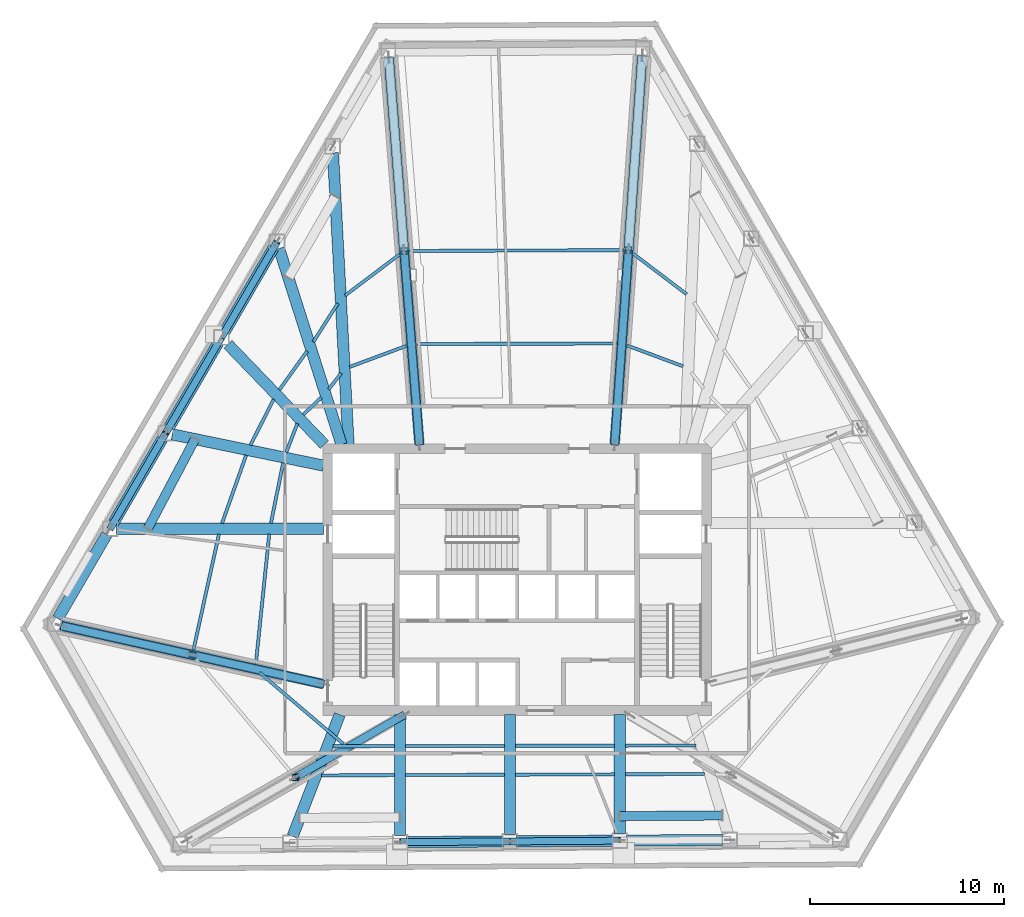
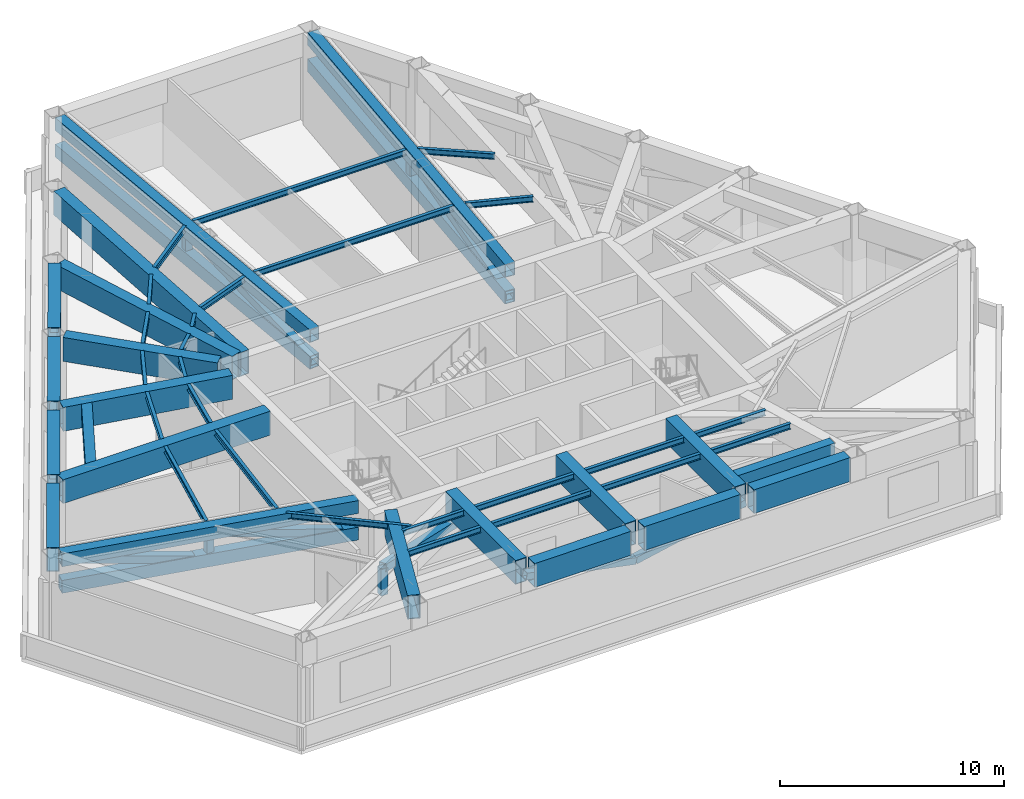
# One storey, part 2 of 12: 49 beams, 14 members.
"""IFC4 building model written with IfcOpenShell, lengths in metres."""

from ifc_helpers import new_model, si_unit, direction, frame, origin, origin_2d, place, context, subcontext, project, spatial, hollow_rectangle, i_section, extrude, material, material_profile, profile_set, type_object, element, save


model = new_model("IFC4")

# Units and contexts
model_context = context("Model", 3, precision=1e-05, world=origin(), true_north=direction((0.0, 1.0)))
body_context = subcontext(model_context, "Body", "Model", "MODEL_VIEW")
ifc_project = project(units=[si_unit("LENGTHUNIT", "METRE"), si_unit("AREAUNIT", "SQUARE_METRE"), si_unit("VOLUMEUNIT", "CUBIC_METRE"), si_unit("PLANEANGLEUNIT", "RADIAN"), si_unit("MASSUNIT", "GRAM", prefix="KILO")], contexts=[model_context])

# Site, building, storey
site_placement = place(None, origin())
site = spatial("IfcSite", under=ifc_project, at=site_placement, CompositionType="ELEMENT")
building_placement = place(site_placement, origin())
building = spatial("IfcBuilding", under=site, at=building_placement, Name="Kavelnor Concourse Tower", CompositionType="ELEMENT")
storey_placement = place(building_placement, frame((0.0, 0.0, 75.300048828125)))
storey = spatial("IfcBuildingStorey", under=building, at=storey_placement, Name="L19", CompositionType="ELEMENT", Elevation=75.300048828125)

# Beams
ifc_material = material(Name="Steel Grade 350", Category="steel")
ifc_material_profile_1 = material_profile(ifc_material, hollow_rectangle(XDim=0.47998046875, YDim=0.64990234375, WallThickness=0.030029296875, at=origin_2d()), Name="RHS 650x480x30")
ifc_profile_set_1 = profile_set([ifc_material_profile_1], Name="Steel Grade 350")
beam_type_1 = type_object("IfcBeamType", Name="BM-BELT-CHORD-650", PredefinedType="BEAM", material=ifc_profile_set_1)
beam_1_placement = place(storey_placement, frame((21.387939453125, 23.350830078125, 4.659912109375), z_axis=(-0.467030719897, -0.884241090808, 0.0), x_axis=(0.884241090808, -0.467030719897, 0.0)))
element("IfcBeam", 1, at=beam_1_placement, inside=storey, type_object=beam_type_1, Name="L19 Perimeter Belt Truss Chord F0-B4", PredefinedType="BEAM", context=body_context, shape_type="SweptSolid", body=[
    extrude(hollow_rectangle(XDim=0.47998046875, YDim=0.64990234375, WallThickness=0.030029296875, at=origin_2d()), origin(), (0.0, 0.0, 1.0), 5.223876953125),
])
beam_2_placement = place(storey_placement, frame((43.302490234375, 3.90234375, 4.659912109375), z_axis=(0.999979140962, 0.00645891948, 0.0), x_axis=(-0.00645891948, 0.999979140962, 0.0)))
element("IfcBeam", 2, at=beam_2_placement, inside=storey, type_object=beam_type_1, Name="L19 Perimeter Belt Truss Chord F1-B4", PredefinedType="BEAM", context=body_context, shape_type="SweptSolid", body=[
    extrude(hollow_rectangle(XDim=0.47998046875, YDim=0.64990234375, WallThickness=0.030029296875, at=origin_2d()), origin(), (0.0, 0.0, 1.0), 5.291748046875),
])
ifc_material_profile_2 = material_profile(ifc_material, i_section(OverallWidth=0.166015625, OverallDepth=0.306884765625, WebThickness=0.006591796875, FlangeThickness=0.01171875, at=origin_2d()), Name="310UB46")
ifc_profile_set_2 = profile_set([ifc_material_profile_2], Name="Steel Grade 350")
beam_type_2 = type_object("IfcBeamType", Name="BM-JOIST-310", PredefinedType="JOIST", material=ifc_profile_set_2)
beam_3_placement = place(storey_placement, frame((24.71484375, 11.30908203125, 4.83154296875), z_axis=(0.761462595239, -0.648208852186, 0.0), x_axis=(0.648208852186, 0.761462595239, 0.0)))
element("IfcBeam", 3, at=beam_3_placement, inside=storey, type_object=beam_type_2, Name="L19 Secondary Composite Joist 01-1", PredefinedType="JOIST", context=body_context, shape_type="SweptSolid", body=[
    extrude(i_section(OverallWidth=0.166015625, OverallDepth=0.306884765625, WebThickness=0.006591796875, FlangeThickness=0.01171875, at=origin_2d()), origin(), (0.0, 0.0, 1.0), 5.676025390625),
])
beam_4_placement = place(storey_placement, frame((28.5048828125, 7.507080078125, 4.83154296875), z_axis=(0.999995262662, 0.003078092382, 0.0), x_axis=(-0.003078092382, 0.999995262662, 0.0)))
element("IfcBeam", 4, at=beam_4_placement, inside=storey, type_object=beam_type_2, Name="L19 Secondary Composite Joist 03-1", PredefinedType="JOIST", context=body_context, shape_type="SweptSolid", body=[
    extrude(i_section(OverallWidth=0.166015625, OverallDepth=0.306884765625, WebThickness=0.006591796875, FlangeThickness=0.01171875, at=origin_2d()), origin(), (0.0, 0.0, 1.0), 3.172607421875),
])
beam_5_placement = place(storey_placement, frame((27.922119140625, 6.001953125, 4.83154296875), z_axis=(0.999989939119, 0.004485717449, 0.0), x_axis=(-0.004485717449, 0.999989939119, 0.0)))
element("IfcBeam", 5, at=beam_5_placement, inside=storey, type_object=beam_type_2, Name="L19 Secondary Composite Joist 03-2", PredefinedType="JOIST", context=body_context, shape_type="SweptSolid", body=[
    extrude(i_section(OverallWidth=0.166015625, OverallDepth=0.306884765625, WebThickness=0.006591796875, FlangeThickness=0.01171875, at=origin_2d()), origin(), (0.0, 0.0, 1.0), 3.75537109375),
])
for number, where, z_axis, x_axis, name in (
    (6, (32.24560546875, 7.518310546875, 4.83154296875), (0.999998432811, 0.001770416863, 0.0), (-0.001770416863, 0.999998432811, 0.0), "L19 Secondary Composite Joist 04-1"),
    (7, (32.24560546875, 6.02099609375, 4.83154296875), (0.999994065555, 0.003445120471, 0.0), (-0.003445120471, 0.999994065555, 0.0), "L19 Secondary Composite Joist 04-2"),
):
    element("IfcBeam", number, at=place(storey_placement, frame(where, z_axis=z_axis, x_axis=x_axis)), inside=storey, type_object=beam_type_2, Name=name, PredefinedType="JOIST", context=body_context, shape_type="SweptSolid", body=[
        extrude(i_section(OverallWidth=0.166015625, OverallDepth=0.306884765625, WebThickness=0.006591796875, FlangeThickness=0.01171875, at=origin_2d()), origin(), (0.0, 0.0, 1.0), 5.102294921875),
    ])
for number, where, z_axis, x_axis, name in (
    (8, (37.916015625, 7.5283203125, 4.83154296875), (0.999998432961, 0.001770332154, 0.0), (-0.001770332154, 0.999998432961, 0.0), "L19 Secondary Composite Joist 05-1"),
    (9, (37.916015625, 6.04052734375, 4.83154296875), (0.999994066123, 0.003444955634, 0.0), (-0.003444955634, 0.999994066123, 0.0), "L19 Secondary Composite Joist 05-2"),
):
    element("IfcBeam", number, at=place(storey_placement, frame(where, z_axis=z_axis, x_axis=x_axis)), inside=storey, type_object=beam_type_2, Name=name, PredefinedType="JOIST", context=body_context, shape_type="SweptSolid", body=[
        extrude(i_section(OverallWidth=0.166015625, OverallDepth=0.306884765625, WebThickness=0.006591796875, FlangeThickness=0.01171875, at=origin_2d()), origin(), (0.0, 0.0, 1.0), 5.1025390625),
    ])
beam_6_placement = place(storey_placement, frame((43.586669921875, 7.53857421875, 4.83154296875), z_axis=(0.999997547088, 0.00221490832, 0.0), x_axis=(-0.00221490832, 0.999997547088, 0.0)))
element("IfcBeam", 10, at=beam_6_placement, inside=storey, type_object=beam_type_2, Name="L19 Secondary Composite Joist 06-1", PredefinedType="JOIST", context=body_context, shape_type="SweptSolid", body=[
    extrude(i_section(OverallWidth=0.166015625, OverallDepth=0.306884765625, WebThickness=0.006591796875, FlangeThickness=0.01171875, at=origin_2d()), origin(), (0.0, 0.0, 1.0), 3.637451171875),
])
beam_7_placement = place(storey_placement, frame((43.586669921875, 6.060302734375, 4.83154296875), z_axis=(0.999991224751, 0.004189322265, 0.0), x_axis=(-0.004189322265, 0.999991224751, 0.0)))
element("IfcBeam", 11, at=beam_7_placement, inside=storey, type_object=beam_type_2, Name="L19 Secondary Composite Joist 06-2", PredefinedType="JOIST", context=body_context, shape_type="SweptSolid", body=[
    extrude(i_section(OverallWidth=0.166015625, OverallDepth=0.306884765625, WebThickness=0.006591796875, FlangeThickness=0.01171875, at=origin_2d()), origin(), (0.0, 0.0, 1.0), 4.079345703125),
])
beam_8_placement = place(storey_placement, frame((46.562255859375, 27.107666015625, 4.83154296875), z_axis=(-0.937494617095, 0.347999774307, 0.0), x_axis=(-0.347999774307, -0.937494617095, 0.0)))
element("IfcBeam", 12, at=beam_8_placement, inside=storey, type_object=beam_type_2, Name="L19 Secondary Composite Joist 14-1", PredefinedType="JOIST", context=body_context, shape_type="SweptSolid", body=[
    extrude(i_section(OverallWidth=0.166015625, OverallDepth=0.306884765625, WebThickness=0.006591796875, FlangeThickness=0.01171875, at=origin_2d()), origin(), (0.0, 0.0, 1.0), 3.08544921875),
])
beam_9_placement = place(storey_placement, frame((46.74560546875, 30.8251953125, 4.83154296875), z_axis=(-0.79695093007, 0.604044050597, 0.0), x_axis=(-0.604044050597, -0.79695093007, 0.0)))
element("IfcBeam", 13, at=beam_9_placement, inside=storey, type_object=beam_type_2, Name="L19 Secondary Composite Joist 14-2", PredefinedType="JOIST", context=body_context, shape_type="SweptSolid", body=[
    extrude(i_section(OverallWidth=0.166015625, OverallDepth=0.306884765625, WebThickness=0.006591796875, FlangeThickness=0.01171875, at=origin_2d()), origin(), (0.0, 0.0, 1.0), 3.48046875),
])
beam_10_placement = place(storey_placement, frame((43.119384765625, 28.27978515625, 4.83154296875), z_axis=(-0.999997666031, -0.00216054008, 0.0), x_axis=(0.00216054008, -0.999997666031, 0.0)))
element("IfcBeam", 14, at=beam_10_placement, inside=storey, type_object=beam_type_2, Name="L19 Secondary Composite Joist 15-1", PredefinedType="JOIST", context=body_context, shape_type="SweptSolid", body=[
    extrude(i_section(OverallWidth=0.166015625, OverallDepth=0.306884765625, WebThickness=0.006591796875, FlangeThickness=0.01171875, at=origin_2d()), origin(), (0.0, 0.0, 1.0), 10.282958984375),
])
beam_11_placement = place(storey_placement, frame((43.461669921875, 33.097900390625, 4.83154296875), z_axis=(-0.999992463834, -0.003882302804, 0.0), x_axis=(0.003882302804, -0.999992463834, 0.0)))
element("IfcBeam", 15, at=beam_11_placement, inside=storey, type_object=beam_type_2, Name="L19 Secondary Composite Joist 15-2", PredefinedType="JOIST", context=body_context, shape_type="SweptSolid", body=[
    extrude(i_section(OverallWidth=0.166015625, OverallDepth=0.306884765625, WebThickness=0.006591796875, FlangeThickness=0.01171875, at=origin_2d()), origin(), (0.0, 0.0, 1.0), 11.0048828125),
])
beam_12_placement = place(storey_placement, frame((32.2861328125, 28.158203125, 4.83154296875), z_axis=(-0.937463988593, -0.348082274889, 0.0), x_axis=(0.348082274889, -0.937463988593, 0.0)))
element("IfcBeam", 16, at=beam_12_placement, inside=storey, type_object=beam_type_2, Name="L19 Secondary Composite Joist 16-1", PredefinedType="JOIST", context=body_context, shape_type="SweptSolid", body=[
    extrude(i_section(OverallWidth=0.166015625, OverallDepth=0.306884765625, WebThickness=0.006591796875, FlangeThickness=0.01171875, at=origin_2d()), origin(), (0.0, 0.0, 1.0), 3.1162109375),
])
beam_13_placement = place(storey_placement, frame((31.946044921875, 32.8828125, 4.83154296875), z_axis=(-0.798251349766, -0.602324482814, 0.0), x_axis=(0.602324482814, -0.798251349766, 0.0)))
element("IfcBeam", 17, at=beam_13_placement, inside=storey, type_object=beam_type_2, Name="L19 Secondary Composite Joist 16-2", PredefinedType="JOIST", context=body_context, shape_type="SweptSolid", body=[
    extrude(i_section(OverallWidth=0.166015625, OverallDepth=0.306884765625, WebThickness=0.006591796875, FlangeThickness=0.01171875, at=origin_2d()), origin(), (0.0, 0.0, 1.0), 3.525146484375),
])
beam_14_placement = place(storey_placement, frame((28.9248046875, 26.75, 4.83154296875), z_axis=(-0.611202842018, -0.791473995725, 0.0), x_axis=(0.791473995725, -0.611202842018, 0.0)))
element("IfcBeam", 18, at=beam_14_placement, inside=storey, type_object=beam_type_2, Name="L19 Secondary Composite Joist 17-1", PredefinedType="JOIST", context=body_context, shape_type="SweptSolid", body=[
    extrude(i_section(OverallWidth=0.166015625, OverallDepth=0.306884765625, WebThickness=0.006591796875, FlangeThickness=0.01171875, at=origin_2d()), origin(), (0.0, 0.0, 1.0), 1.051025390625),
])
beam_15_placement = place(storey_placement, frame((28.7529296875, 30.348876953125, 4.83154296875), z_axis=(-0.537090123049, -0.843524866097, 0.0), x_axis=(0.843524866097, -0.537090123049, 0.0)))
element("IfcBeam", 19, at=beam_15_placement, inside=storey, type_object=beam_type_2, Name="L19 Secondary Composite Joist 17-2", PredefinedType="JOIST", context=body_context, shape_type="SweptSolid", body=[
    extrude(i_section(OverallWidth=0.166015625, OverallDepth=0.306884765625, WebThickness=0.006591796875, FlangeThickness=0.01171875, at=origin_2d()), origin(), (0.0, 0.0, 1.0), 2.35498046875),
])
beam_16_placement = place(storey_placement, frame((27.903076171875, 25.497802734375, 4.83154296875), z_axis=(-0.724277987053, -0.689508083687, 0.0), x_axis=(0.689508083687, -0.724277987053, 0.0)))
element("IfcBeam", 20, at=beam_16_placement, inside=storey, type_object=beam_type_2, Name="L19 Secondary Composite Joist 18-1", PredefinedType="JOIST", context=body_context, shape_type="SweptSolid", body=[
    extrude(i_section(OverallWidth=0.166015625, OverallDepth=0.306884765625, WebThickness=0.006591796875, FlangeThickness=0.01171875, at=origin_2d()), origin(), (0.0, 0.0, 1.0), 1.284912109375),
])
beam_17_placement = place(storey_placement, frame((27.17041015625, 27.8916015625, 4.83154296875), z_axis=(-0.581669442691, -0.813425263586, 0.0), x_axis=(0.813425263586, -0.581669442691, 0.0)))
element("IfcBeam", 21, at=beam_17_placement, inside=storey, type_object=beam_type_2, Name="L19 Secondary Composite Joist 18-2", PredefinedType="JOIST", context=body_context, shape_type="SweptSolid", body=[
    extrude(i_section(OverallWidth=0.166015625, OverallDepth=0.306884765625, WebThickness=0.006591796875, FlangeThickness=0.01171875, at=origin_2d()), origin(), (0.0, 0.0, 1.0), 2.462890625),
])
beam_18_placement = place(storey_placement, frame((26.664794921875, 24.15087890625, 4.83154296875), z_axis=(-0.359277047661, -0.933230948385, 0.0), x_axis=(0.933230948385, -0.359277047661, 0.0)))
element("IfcBeam", 22, at=beam_18_placement, inside=storey, type_object=beam_type_2, Name="L19 Secondary Composite Joist 19-1", PredefinedType="JOIST", context=body_context, shape_type="SweptSolid", body=[
    extrude(i_section(OverallWidth=0.166015625, OverallDepth=0.306884765625, WebThickness=0.006591796875, FlangeThickness=0.01171875, at=origin_2d()), origin(), (0.0, 0.0, 1.0), 1.592041015625),
])
beam_19_placement = place(storey_placement, frame((25.444091796875, 25.40380859375, 4.83154296875), z_axis=(-0.451851391266, -0.892093223947, 0.0), x_axis=(0.892093223947, -0.451851391266, 0.0)))
element("IfcBeam", 23, at=beam_19_placement, inside=storey, type_object=beam_type_2, Name="L19 Secondary Composite Joist 19-2", PredefinedType="JOIST", context=body_context, shape_type="SweptSolid", body=[
    extrude(i_section(OverallWidth=0.166015625, OverallDepth=0.306884765625, WebThickness=0.006591796875, FlangeThickness=0.01171875, at=origin_2d()), origin(), (0.0, 0.0, 1.0), 2.649658203125),
])
beam_20_placement = place(storey_placement, frame((25.93408203125, 22.121826171875, 4.83154296875), z_axis=(-0.199131454502, -0.97997278729, 0.0), x_axis=(0.97997278729, -0.199131454502, 0.0)))
element("IfcBeam", 24, at=beam_20_placement, inside=storey, type_object=beam_type_2, Name="L19 Secondary Composite Joist 20-1", PredefinedType="JOIST", context=body_context, shape_type="SweptSolid", body=[
    extrude(i_section(OverallWidth=0.166015625, OverallDepth=0.306884765625, WebThickness=0.006591796875, FlangeThickness=0.01171875, at=origin_2d()), origin(), (0.0, 0.0, 1.0), 3.17529296875),
])
beam_21_placement = place(storey_placement, frame((24.023681640625, 22.51904296875, 4.83154296875), z_axis=(-0.333575968091, -0.942723222114, 0.0), x_axis=(0.942723222114, -0.333575968091, 0.0)))
element("IfcBeam", 25, at=beam_21_placement, inside=storey, type_object=beam_type_2, Name="L19 Secondary Composite Joist 20-2", PredefinedType="JOIST", context=body_context, shape_type="SweptSolid", body=[
    extrude(i_section(OverallWidth=0.166015625, OverallDepth=0.306884765625, WebThickness=0.006591796875, FlangeThickness=0.01171875, at=origin_2d()), origin(), (0.0, 0.0, 1.0), 3.7333984375),
])
beam_22_placement = place(storey_placement, frame((25.216064453125, 18.44921875, 4.83154296875), z_axis=(-0.102619800262, -0.994720652542, 0.0), x_axis=(0.994720652542, -0.102619800262, 0.0)))
element("IfcBeam", 26, at=beam_22_placement, inside=storey, type_object=beam_type_2, Name="L19 Secondary Composite Joist 21-1", PredefinedType="JOIST", context=body_context, shape_type="SweptSolid", body=[
    extrude(i_section(OverallWidth=0.166015625, OverallDepth=0.306884765625, WebThickness=0.006591796875, FlangeThickness=0.01171875, at=origin_2d()), origin(), (0.0, 0.0, 1.0), 6.708984375),
])
beam_23_placement = place(storey_placement, frame((22.62255859375, 18.454345703125, 4.83154296875), z_axis=(-0.215057903025, -0.976601299583, 0.0), x_axis=(0.976601299583, -0.215057903025, 0.0)))
element("IfcBeam", 27, at=beam_23_placement, inside=storey, type_object=beam_type_2, Name="L19 Secondary Composite Joist 21-2", PredefinedType="JOIST", context=body_context, shape_type="SweptSolid", body=[
    extrude(i_section(OverallWidth=0.166015625, OverallDepth=0.306884765625, WebThickness=0.006591796875, FlangeThickness=0.01171875, at=origin_2d()), origin(), (0.0, 0.0, 1.0), 6.10302734375),
])
ifc_material_profile_3 = material_profile(ifc_material, hollow_rectangle(XDim=0.5, YDim=0.699951171875, WallThickness=0.031982421875, at=origin_2d()), Name="RHS 700x500x32")
ifc_profile_set_3 = profile_set([ifc_material_profile_3], Name="Steel Grade 350")
beam_type_3 = type_object("IfcBeamType", Name="BM-OUTRIG-CHORD-700", PredefinedType="BEAM", material=ifc_profile_set_3)
for number, where, z_axis, x_axis, name in (
    (28, (32.963623046875, 23.06005859375, 3.179931640625), (-0.078891004779, 0.99688324761, 0.0), (-0.99688324761, -0.078891004779, 0.0), "L19 Outrigger Truss Bottom Chord F0A"),
    (29, (32.963623046875, 23.06005859375, 4.625), (-0.078891004779, 0.99688324761, 0.0), (-0.99688324761, -0.078891004779, 0.0), "L19 Outrigger Truss Top Chord F0A"),
):
    element("IfcBeam", number, at=place(storey_placement, frame(where, z_axis=z_axis, x_axis=x_axis)), inside=storey, type_object=beam_type_3, Name=name, PredefinedType="BEAM", context=body_context, shape_type="SweptSolid", body=[
        extrude(hollow_rectangle(XDim=0.5, YDim=0.699951171875, WallThickness=0.031982421875, at=origin_2d()), origin(), (0.0, 0.0, 1.0), 20.05029296875),
    ])
for number, where, z_axis, x_axis, name in (
    (30, (28.01904296875, 10.709228515625, 3.179931640625), (-0.976088816889, 0.217372080875, 0.0), (-0.217372080875, -0.976088816889, 0.0), "L19 Outrigger Truss Bottom Chord F0B"),
    (31, (28.01904296875, 10.709228515625, 4.625), (-0.976088816889, 0.217372080875, 0.0), (-0.217372080875, -0.976088816889, 0.0), "L19 Outrigger Truss Top Chord F0B"),
):
    element("IfcBeam", number, at=place(storey_placement, frame(where, z_axis=z_axis, x_axis=x_axis)), inside=storey, type_object=beam_type_3, Name=name, PredefinedType="BEAM", context=body_context, shape_type="SweptSolid", body=[
        extrude(hollow_rectangle(XDim=0.5, YDim=0.699951171875, WallThickness=0.031982421875, at=origin_2d()), origin(), (0.0, 0.0, 1.0), 13.8720703125),
    ])
for number, where, z_axis, x_axis, name in (
    (32, (43.03271484375, 23.06005859375, 3.179931640625), (0.070834160669, 0.997488106036, 0.0), (-0.997488106036, 0.070834160669, 0.0), "L19 Outrigger Truss Bottom Chord F2B"),
    (33, (43.03271484375, 23.06005859375, 4.625), (0.070834160669, 0.997488106036, 0.0), (-0.997488106036, 0.070834160669, 0.0), "L19 Outrigger Truss Top Chord F2B"),
):
    element("IfcBeam", number, at=place(storey_placement, frame(where, z_axis=z_axis, x_axis=x_axis)), inside=storey, type_object=beam_type_3, Name=name, PredefinedType="BEAM", context=body_context, shape_type="SweptSolid", body=[
        extrude(hollow_rectangle(XDim=0.5, YDim=0.699951171875, WallThickness=0.031982421875, at=origin_2d()), origin(), (0.0, 0.0, 1.0), 20.12841796875),
    ])
ifc_material_profile_4 = material_profile(ifc_material, hollow_rectangle(XDim=0.580078125, YDim=1.300048828125, WallThickness=0.0400390625, at=origin_2d()), Name="RHS 1300x580x40")
ifc_profile_set_4 = profile_set([ifc_material_profile_4], Name="Steel Grade 350")
beam_type_4 = type_object("IfcBeamType", Name="BM-SETBACK-XFER-1350", PredefinedType="BEAM", material=ifc_profile_set_4)
for number, where, z_axis, x_axis, name in (
    (34, (25.4423828125, 33.227294921875, 4.3349609375), (-0.502938540526, -0.864322176305, 0.0), (0.864322176305, -0.502938540526, 0.0), "L19 Perimeter Tube Spandrel Beam F0-B2"),
    (35, (22.572998046875, 28.2958984375, 4.3349609375), (-0.502996065541, -0.864288700638, 0.0), (0.864288700638, -0.502996065541, 0.0), "L19 Perimeter Tube Spandrel Beam F0-B3"),
    (36, (19.703369140625, 23.36474609375, 4.3349609375), (-0.502938540526, -0.864322176305, 0.0), (0.864322176305, -0.502938540526, 0.0), "L19 Perimeter Tube Spandrel Beam F0-B4"),
    (37, (16.833740234375, 18.43359375, 4.3349609375), (-0.502938540526, -0.864322176305, 0.0), (0.864322176305, -0.502938540526, 0.0), "L19 Perimeter Tube Spandrel Beam F0-B5"),
):
    element("IfcBeam", number, at=place(storey_placement, frame(where, z_axis=z_axis, x_axis=x_axis)), inside=storey, type_object=beam_type_4, Name=name, PredefinedType="BEAM", context=body_context, shape_type="SweptSolid", body=[
        extrude(hollow_rectangle(XDim=0.580078125, YDim=1.300048828125, WallThickness=0.0400390625, at=origin_2d()), origin(), (0.0, 0.0, 1.0), 5.015380859375),
    ])
beam_24_placement = place(storey_placement, frame((32.306396484375, 2.5625, 4.3349609375), z_axis=(0.999976454505, 0.006862247127, 0.0), x_axis=(-0.006862247127, 0.999976454505, 0.0)))
element("IfcBeam", 38, at=beam_24_placement, inside=storey, type_object=beam_type_4, Name="L19 Perimeter Tube Spandrel Beam F1-B2", PredefinedType="BEAM", context=body_context, shape_type="SweptSolid", body=[
    extrude(hollow_rectangle(XDim=0.580078125, YDim=1.300048828125, WallThickness=0.0400390625, at=origin_2d()), origin(), (0.0, 0.0, 1.0), 4.980712890625),
])
for number, where, z_axis, x_axis, name in (
    (39, (37.97705078125, 2.6015625, 4.3349609375), (0.999976787381, 0.006813567326, 0.0), (-0.006813567326, 0.999976787381, 0.0), "L19 Perimeter Tube Spandrel Beam F1-B3"),
    (40, (43.647705078125, 2.640380859375, 4.3349609375), (0.999976452197, 0.006862583495, 0.0), (-0.006862583495, 0.999976452197, 0.0), "L19 Perimeter Tube Spandrel Beam F1-B4"),
):
    element("IfcBeam", number, at=place(storey_placement, frame(where, z_axis=z_axis, x_axis=x_axis)), inside=storey, type_object=beam_type_4, Name=name, PredefinedType="BEAM", context=body_context, shape_type="SweptSolid", body=[
        extrude(hollow_rectangle(XDim=0.580078125, YDim=1.300048828125, WallThickness=0.0400390625, at=origin_2d()), origin(), (0.0, 0.0, 1.0), 4.98046875),
    ])
beam_25_placement = place(storey_placement, frame((29.307373046875, 23.06005859375, 4.3349609375), z_axis=(-0.053303281758, 0.99857836956, 0.0), x_axis=(-0.99857836956, -0.053303281758, 0.0)))
element("IfcBeam", 41, at=beam_25_placement, inside=storey, type_object=beam_type_4, Name="L19 Primary Floor Girder F0-B1", PredefinedType="BEAM", context=body_context, shape_type="SweptSolid", body=[
    extrude(hollow_rectangle(XDim=0.580078125, YDim=1.300048828125, WallThickness=0.0400390625, at=origin_2d()), origin(), (0.0, 0.0, 1.0), 15.078125),
])
beam_26_placement = place(storey_placement, frame((28.946533203125, 23.06201171875, 4.3349609375), z_axis=(-0.303325088328, 0.95288713434, 0.0), x_axis=(-0.95288713434, -0.303325088328, 0.0)))
element("IfcBeam", 42, at=beam_26_placement, inside=storey, type_object=beam_type_4, Name="L19 Primary Floor Girder F0-B2", PredefinedType="BEAM", context=body_context, shape_type="SweptSolid", body=[
    extrude(hollow_rectangle(XDim=0.580078125, YDim=1.300048828125, WallThickness=0.0400390625, at=origin_2d()), origin(), (0.0, 0.0, 1.0), 10.6220703125),
])
beam_27_placement = place(storey_placement, frame((28.060791015625, 23.0712890625, 4.3349609375), z_axis=(-0.693386703525, 0.720565666247, 0.0), x_axis=(-0.720565666247, -0.693386703525, 0.0)))
element("IfcBeam", 43, at=beam_27_placement, inside=storey, type_object=beam_type_4, Name="L19 Primary Floor Girder F0-B3", PredefinedType="BEAM", context=body_context, shape_type="SweptSolid", body=[
    extrude(hollow_rectangle(XDim=0.580078125, YDim=1.300048828125, WallThickness=0.0400390625, at=origin_2d()), origin(), (0.0, 0.0, 1.0), 7.17724609375),
])
beam_28_placement = place(storey_placement, frame((28.019287109375, 21.981201171875, 4.3349609375), z_axis=(-0.979329554362, 0.202271164412, 0.0), x_axis=(-0.202271164412, -0.979329554362, 0.0)))
element("IfcBeam", 44, at=beam_28_placement, inside=storey, type_object=beam_type_4, Name="L19 Primary Floor Girder F0-B4", PredefinedType="BEAM", context=body_context, shape_type="SweptSolid", body=[
    extrude(hollow_rectangle(XDim=0.580078125, YDim=1.300048828125, WallThickness=0.0400390625, at=origin_2d()), origin(), (0.0, 0.0, 1.0), 7.966064453125),
])
beam_29_placement = place(storey_placement, frame((28.02001953125, 18.731689453125, 4.3349609375), z_axis=(-1.0, 0.0, 0.0), x_axis=(0.0, -1.0, 0.0)))
element("IfcBeam", 45, at=beam_29_placement, inside=storey, type_object=beam_type_4, Name="L19 Primary Floor Girder F0-B5", PredefinedType="BEAM", context=body_context, shape_type="SweptSolid", body=[
    extrude(hollow_rectangle(XDim=0.580078125, YDim=1.300048828125, WallThickness=0.0400390625, at=origin_2d()), origin(), (0.0, 0.0, 1.0), 10.672607421875),
])
beam_30_placement = place(storey_placement, frame((28.852294921875, 9.13720703125, 4.3349609375), z_axis=(-0.361042974474, -0.93254917864, 0.0), x_axis=(0.93254917864, -0.361042974474, 0.0)))
element("IfcBeam", 46, at=beam_30_placement, inside=storey, type_object=beam_type_4, Name="L19 Primary Floor Girder F1-B1", PredefinedType="BEAM", context=body_context, shape_type="SweptSolid", body=[
    extrude(hollow_rectangle(XDim=0.580078125, YDim=1.300048828125, WallThickness=0.0400390625, at=origin_2d()), origin(), (0.0, 0.0, 1.0), 6.72705078125),
])
beam_31_placement = place(storey_placement, frame((31.96142578125, 9.139892578125, 4.3349609375), z_axis=(0.0, -1.0, 0.0), x_axis=(1.0, 0.0, 0.0)))
element("IfcBeam", 47, at=beam_31_placement, inside=storey, type_object=beam_type_4, Name="L19 Primary Floor Girder F1-B2", PredefinedType="BEAM", context=body_context, shape_type="SweptSolid", body=[
    extrude(hollow_rectangle(XDim=0.580078125, YDim=1.300048828125, WallThickness=0.0400390625, at=origin_2d()), origin(), (0.0, 0.0, 1.0), 6.23974609375),
])
beam_32_placement = place(storey_placement, frame((37.632080078125, 9.139892578125, 4.3349609375), z_axis=(0.0, -1.0, 0.0), x_axis=(1.0, 0.0, 0.0)))
element("IfcBeam", 48, at=beam_32_placement, inside=storey, type_object=beam_type_4, Name="L19 Primary Floor Girder F1-B3", PredefinedType="BEAM", context=body_context, shape_type="SweptSolid", body=[
    extrude(hollow_rectangle(XDim=0.580078125, YDim=1.300048828125, WallThickness=0.0400390625, at=origin_2d()), origin(), (0.0, 0.0, 1.0), 6.20068359375),
])
beam_33_placement = place(storey_placement, frame((43.302490234375, 9.139892578125, 4.3349609375), z_axis=(0.0, -1.0, 0.0), x_axis=(1.0, 0.0, 0.0)))
element("IfcBeam", 49, at=beam_33_placement, inside=storey, type_object=beam_type_4, Name="L19 Primary Floor Girder F1-B4", PredefinedType="BEAM", context=body_context, shape_type="SweptSolid", body=[
    extrude(hollow_rectangle(XDim=0.580078125, YDim=1.300048828125, WallThickness=0.0400390625, at=origin_2d()), origin(), (0.0, 0.0, 1.0), 6.161865234375),
])

# Members
ifc_material_profile_5 = material_profile(ifc_material, hollow_rectangle(XDim=0.360107421875, YDim=0.360107421875, WallThickness=0.02197265625, at=origin_2d()), Name="SHS 360x360x22")
ifc_profile_set_5 = profile_set([ifc_material_profile_5], Name="Steel Grade 350")
member_type_1 = type_object("IfcMemberType", Name="MBR-BELT-DIAG-360", PredefinedType="BRACE", material=ifc_profile_set_5)
member_1_placement = place(storey_placement, frame((22.746337890625, 28.59423828125, 3.179931640625), z_axis=(0.492970787811, 0.847117914941, 0.198421371204), x_axis=(-0.864303016834, 0.502971465485, 0.0)))
element("IfcMember", 50, at=member_1_placement, inside=storey, type_object=member_type_1, Name="L19 Perimeter Belt Truss Diagonal F0-B2", PredefinedType="BRACE", context=body_context, shape_type="SweptSolid", body=[
    extrude(hollow_rectangle(XDim=0.360107421875, YDim=0.360107421875, WallThickness=0.02197265625, at=origin_2d()), origin(), (0.0, 0.0, 1.0), 5.821044921875),
])
member_2_placement = place(storey_placement, frame((22.746337890625, 28.59423828125, 3.179931640625), z_axis=(-0.492921524867, -0.847147271403, 0.198418423734), x_axis=(0.864332442626, -0.502920896984, 0.0)))
element("IfcMember", 51, at=member_2_placement, inside=storey, type_object=member_type_1, Name="L19 Perimeter Belt Truss Diagonal F0-B3", PredefinedType="BRACE", context=body_context, shape_type="SweptSolid", body=[
    extrude(hollow_rectangle(XDim=0.360107421875, YDim=0.360107421875, WallThickness=0.02197265625, at=origin_2d()), origin(), (0.0, 0.0, 1.0), 5.8212890625),
])
member_3_placement = place(storey_placement, frame((17.00732421875, 18.731689453125, 3.179931640625), z_axis=(0.492970787811, 0.847117914941, 0.198421371204), x_axis=(-0.864303016834, 0.502971465485, 0.0)))
element("IfcMember", 52, at=member_3_placement, inside=storey, type_object=member_type_1, Name="L19 Perimeter Belt Truss Diagonal F0-B4", PredefinedType="BRACE", context=body_context, shape_type="SweptSolid", body=[
    extrude(hollow_rectangle(XDim=0.360107421875, YDim=0.360107421875, WallThickness=0.02197265625, at=origin_2d()), origin(), (0.0, 0.0, 1.0), 5.821044921875),
])
member_4_placement = place(storey_placement, frame((37.632080078125, 2.59912109375, 3.179931640625), z_axis=(-0.979858019412, -0.006707599995, 0.199582739477), x_axis=(0.006845321166, -0.999976570515, 0.0)))
element("IfcMember", 53, at=member_4_placement, inside=storey, type_object=member_type_1, Name="L19 Perimeter Belt Truss Diagonal F1-B2", PredefinedType="BRACE", context=body_context, shape_type="SweptSolid", body=[
    extrude(hollow_rectangle(XDim=0.360107421875, YDim=0.360107421875, WallThickness=0.02197265625, at=origin_2d()), origin(), (0.0, 0.0, 1.0), 5.787109375),
])
member_5_placement = place(storey_placement, frame((37.632080078125, 2.59912109375, 3.179931640625), z_axis=(0.979856336996, 0.006707877275, 0.199590989853), x_axis=(-0.006845615878, 0.999976568497, 0.0)))
element("IfcMember", 54, at=member_5_placement, inside=storey, type_object=member_type_1, Name="L19 Perimeter Belt Truss Diagonal F1-B3", PredefinedType="BRACE", context=body_context, shape_type="SweptSolid", body=[
    extrude(hollow_rectangle(XDim=0.360107421875, YDim=0.360107421875, WallThickness=0.02197265625, at=origin_2d()), origin(), (0.0, 0.0, 1.0), 5.786865234375),
])
ifc_material_profile_6 = material_profile(ifc_material, hollow_rectangle(XDim=0.39990234375, YDim=0.39990234375, WallThickness=0.02490234375, at=origin_2d()), Name="SHS 400x400x25")
ifc_profile_set_6 = profile_set([ifc_material_profile_6], Name="Steel Grade 350")
member_type_2 = type_object("IfcMemberType", Name="MBR-OUTRIG-DIAG-400", PredefinedType="BRACE", material=ifc_profile_set_6)
member_6_placement = place(storey_placement, frame((32.963623046875, 23.06005859375, 3.179931640625), z_axis=(-0.078071997491, 0.986686390029, 0.142670007147), x_axis=(-0.996884205153, -0.078878904128, 0.0)))
element("IfcMember", 55, at=member_6_placement, inside=storey, type_object=member_type_2, Name="L19 Outrigger Truss Inner Diagonal F0A", PredefinedType="BRACE", context=body_context, shape_type="SweptSolid", body=[
    extrude(hollow_rectangle(XDim=0.39990234375, YDim=0.39990234375, WallThickness=0.02490234375, at=origin_2d()), origin(), (0.0, 0.0, 1.0), 10.128662109375),
])
member_7_placement = place(storey_placement, frame((28.01904296875, 10.709228515625, 3.179931640625), z_axis=(-0.955574898265, 0.212782625826, 0.20396119227), x_axis=(-0.217351578962, -0.976093382378, 0.0)))
element("IfcMember", 56, at=member_7_placement, inside=storey, type_object=member_type_2, Name="L19 Outrigger Truss Inner Diagonal F0B", PredefinedType="BRACE", context=body_context, shape_type="SweptSolid", body=[
    extrude(hollow_rectangle(XDim=0.39990234375, YDim=0.39990234375, WallThickness=0.02490234375, at=origin_2d()), origin(), (0.0, 0.0, 1.0), 7.0849609375),
])
member_8_placement = place(storey_placement, frame((21.248779296875, 12.216796875, 3.179931640625), z_axis=(-0.955564897047, 0.212822531704, 0.203966412752), x_axis=(-0.21739258324, -0.976084250847, 0.0)))
element("IfcMember", 57, at=member_8_placement, inside=storey, type_object=member_type_2, Name="L19 Outrigger Truss Outer Diagonal F0B", PredefinedType="BRACE", context=body_context, shape_type="SweptSolid", body=[
    extrude(hollow_rectangle(XDim=0.39990234375, YDim=0.39990234375, WallThickness=0.02490234375, at=origin_2d()), origin(), (0.0, 0.0, 1.0), 7.084716796875),
])
member_9_placement = place(storey_placement, frame((32.1650390625, 9.119873046875, 3.179931640625), z_axis=(-0.846022409237, -0.48639741512, 0.21832003489), x_axis=(0.498420704587, -0.866935292418, 0.0)))
element("IfcMember", 58, at=member_9_placement, inside=storey, type_object=member_type_2, Name="L19 Outrigger Truss Inner Diagonal F1A", PredefinedType="BRACE", context=body_context, shape_type="SweptSolid", body=[
    extrude(hollow_rectangle(XDim=0.39990234375, YDim=0.39990234375, WallThickness=0.02490234375, at=origin_2d()), origin(), (0.0, 0.0, 1.0), 6.619140625),
])
member_10_placement = place(storey_placement, frame((43.03271484375, 23.06005859375, 3.179931640625), z_axis=(0.070114250485, 0.987362321899, 0.14212542761), x_axis=(-0.997488166892, 0.07083330368, 0.0)))
element("IfcMember", 59, at=member_10_placement, inside=storey, type_object=member_type_2, Name="L19 Outrigger Truss Inner Diagonal F2B", PredefinedType="BRACE", context=body_context, shape_type="SweptSolid", body=[
    extrude(hollow_rectangle(XDim=0.39990234375, YDim=0.39990234375, WallThickness=0.02490234375, at=origin_2d()), origin(), (0.0, 0.0, 1.0), 10.16748046875),
])
ifc_material_profile_7 = material_profile(ifc_material, hollow_rectangle(XDim=0.340087890625, YDim=0.340087890625, WallThickness=0.02001953125, at=origin_2d()), Name="SHS 340x340x20")
ifc_profile_set_7 = profile_set([ifc_material_profile_7], Name="Steel Grade 350")
member_type_3 = type_object("IfcMemberType", Name="MBR-TRUSS-POST-340", PredefinedType="POST", material=ifc_profile_set_7)
for number, where, z_axis, x_axis, name in (
    (60, (32.1728515625, 33.053955078125, 3.179931640625), (0.0, 0.0, 1.0), (1.0, 0.0, 0.0), "L19 Outrigger Truss Web Post F0A"),
    (61, (21.248779296875, 12.216796875, 3.179931640625), (0.0, 0.0, 1.0), (1.0, 0.0, 0.0), "L19 Outrigger Truss Web Post F0B"),
    (62, (26.565185546875, 5.900390625, 3.179931640625), (0.0, 0.0, 1.0), (1.0, 0.0, 0.0), "L19 Outrigger Truss Web Post F1A"),
    (63, (43.74560546875, 33.09912109375, 3.179931640625), (0.0, 0.0, 1.0), (1.0, 0.0, 0.0), "L19 Outrigger Truss Web Post F2B"),
):
    element("IfcMember", number, at=place(storey_placement, frame(where, z_axis=z_axis, x_axis=x_axis)), inside=storey, type_object=member_type_3, Name=name, PredefinedType="POST", context=body_context, shape_type="SweptSolid", body=[
        extrude(hollow_rectangle(XDim=0.340087890625, YDim=0.340087890625, WallThickness=0.02001953125, at=origin_2d()), origin(), (0.0, 0.0, 1.0), 1.445068359375),
    ])

save(model, "model.ifc")
